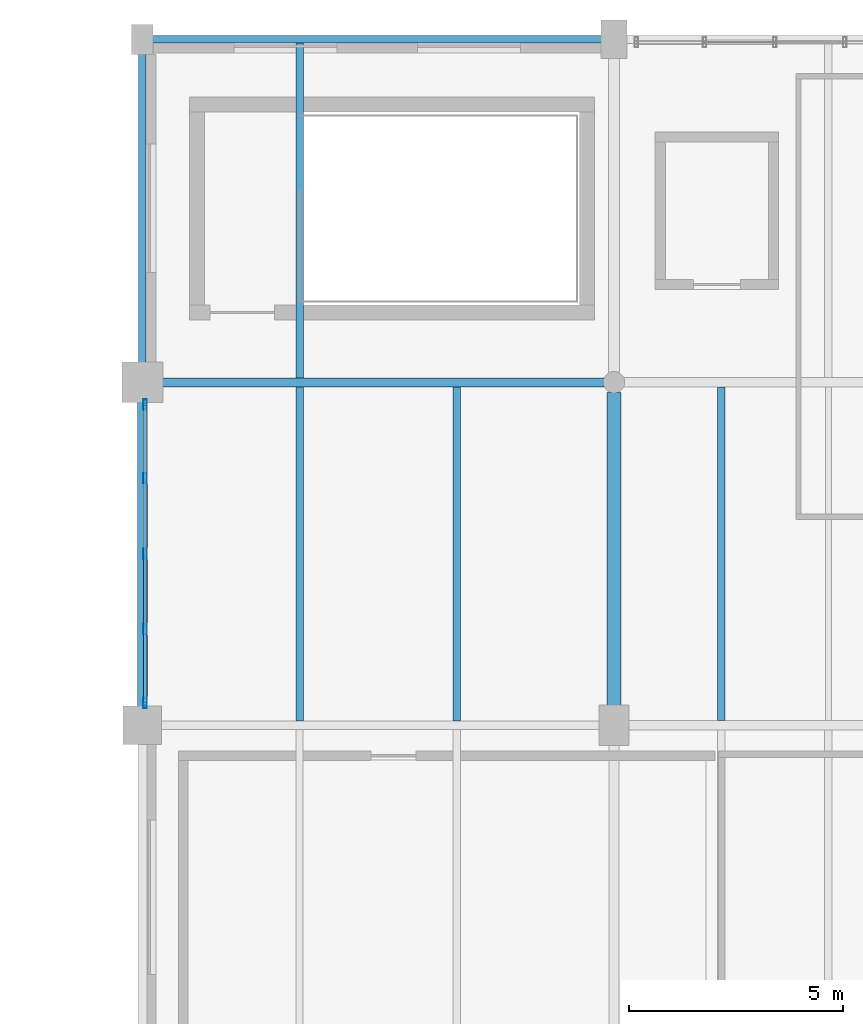
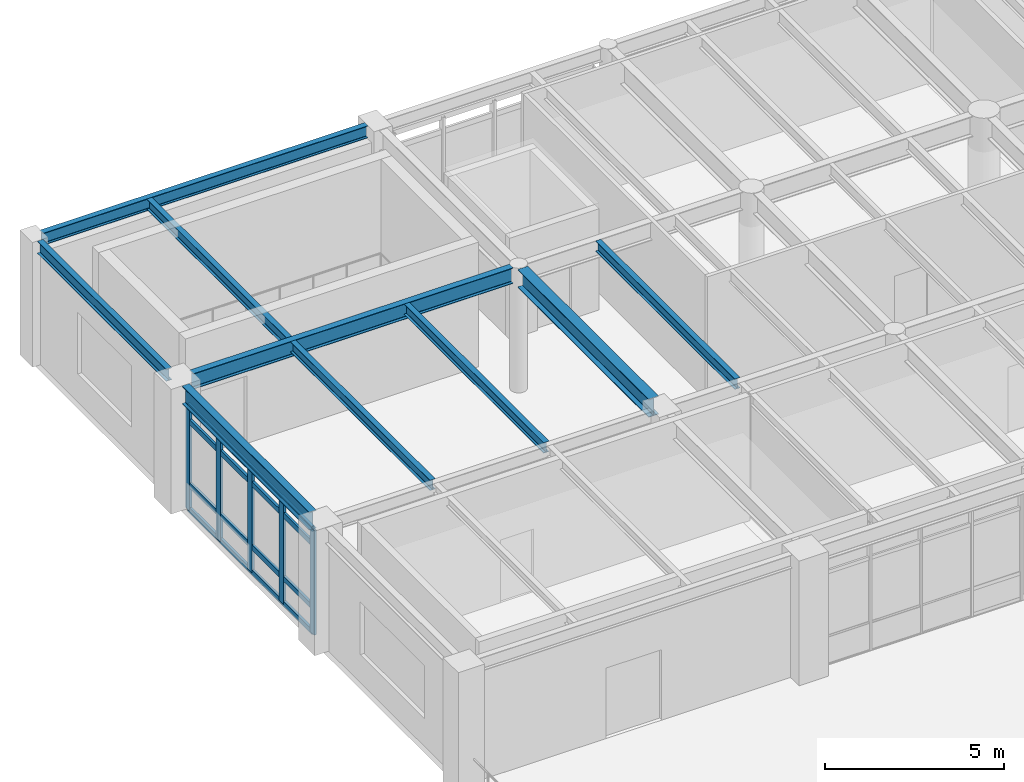
# One storey, part 78 of 168: 9 beams, 9 members, 1 element without a shape of its own.
"""IFC4 building model written with IfcOpenShell, lengths in metres."""

from ifc_helpers import new_model, si_unit, direction, frame, origin, origin_2d, place, context, subcontext, project, spatial, hollow_rectangle, i_section, extrude, material, material_profile, profile_set, type_object, element, aggregate, save


model = new_model("IFC4")

# Units and contexts
model_context = context("Model", 3, precision=1e-05, world=origin(), true_north=direction((0.0, 1.0)))
body_context = subcontext(model_context, "Body", "Model", "MODEL_VIEW")
ifc_project = project(units=[si_unit("LENGTHUNIT", "METRE"), si_unit("AREAUNIT", "SQUARE_METRE"), si_unit("VOLUMEUNIT", "CUBIC_METRE"), si_unit("PLANEANGLEUNIT", "RADIAN"), si_unit("MASSUNIT", "GRAM", prefix="KILO"), si_unit("THERMODYNAMICTEMPERATUREUNIT", "KELVIN"), si_unit("POWERUNIT", "WATT")], contexts=[model_context])

# Site, building, storey
site_placement = place(None, origin())
site = spatial("IfcSite", under=ifc_project, at=site_placement, CompositionType="ELEMENT")
building_placement = place(site_placement, origin())
building = spatial("IfcBuilding", under=site, at=building_placement, Name="Tepalcoro Natatorium and Aquatics Centre", CompositionType="ELEMENT")
storey_placement = place(building_placement, frame((0.0, 0.0, 10.199951171875)))
storey = spatial("IfcBuildingStorey", under=building, at=storey_placement, Name="L02", CompositionType="ELEMENT", Elevation=10.199951171875)

# Beams
ifc_material_1 = material(Name="Steel ASTM A992 Grade 50 (Fy 345 MPa)", Category="steel")
ifc_material_profile_1 = material_profile(ifc_material_1, i_section(OverallWidth=0.2099609375, OverallDepth=0.532958984375, WebThickness=0.010009765625, FlangeThickness=0.01611328125, FilletRadius=0.013916015625, at=origin_2d()), Name="W21X62")
ifc_profile_set_1 = profile_set([ifc_material_profile_1], Name="Steel ASTM A992 Grade 50 (Fy 345 MPa)")
beam_type_1 = type_object("IfcBeamType", Name="BM_W21x62", PredefinedType="BEAM", material=ifc_profile_set_1)
beam_1_placement = place(storey_placement, frame((10.4599609375, 110.0, 3.968505859375), z_axis=(1.0, 0.0, 0.0), x_axis=(0.0, 1.0, 0.0)))
element("IfcBeam", 1, at=beam_1_placement, inside=storey, type_object=beam_type_1, Name="V4 L02 Grid Girder X", PredefinedType="BEAM", context=body_context, shape_type="SweptSolid", body=[
    extrude(i_section(OverallWidth=0.2099609375, OverallDepth=0.532958984375, WebThickness=0.010009765625, FlangeThickness=0.01611328125, FilletRadius=0.013916015625, at=origin_2d()), origin(), (0.0, 0.0, 1.0), 10.304931640625),
])
ifc_material_profile_2 = material_profile(ifc_material_1, i_section(OverallWidth=0.324951171875, OverallDepth=0.616943359375, WebThickness=0.013916015625, FlangeThickness=0.02197265625, FilletRadius=0.013916015625, at=origin_2d()), Name="W24X117")
ifc_profile_set_2 = profile_set([ifc_material_profile_2], Name="Steel ASTM A992 Grade 50 (Fy 345 MPa)")
beam_type_2 = type_object("IfcBeamType", Name="BM_W24x117", PredefinedType="BEAM", material=ifc_profile_set_2)
beam_2_placement = place(storey_placement, frame((21.0, 102.4599609375, 3.926513671875), z_axis=(0.0, 1.0, 0.0), x_axis=(-1.0, 0.0, 0.0)))
element("IfcBeam", 2, at=beam_2_placement, inside=storey, type_object=beam_type_2, Name="V4 L02 Grid Girder Y", PredefinedType="BEAM", context=body_context, shape_type="SweptSolid", body=[
    extrude(i_section(OverallWidth=0.324951171875, OverallDepth=0.616943359375, WebThickness=0.013916015625, FlangeThickness=0.02197265625, FilletRadius=0.013916015625, at=origin_2d()), origin(), (0.0, 0.0, 1.0), 7.304931640625),
])

# Curtain wall, members
ifc_material_2 = material(Name="Bronze-Anodised Extruded Aluminium Alloy EN AW-6063 T6", Category="aluminium")
curtain_wall_type = type_object("IfcCurtainWallType", Name="CW_LEAN_T1_NS", PredefinedType="USERDEFINED", material=ifc_material_2)
curtain_wall_placement = place(storey_placement, origin())
curtain_wall = element("IfcCurtainWall", 3, at=curtain_wall_placement, inside=storey, type_object=curtain_wall_type, Name="V4 L02 W Unitised Curtain Wall Bay 2", ObjectType="FACETED SOLAR GLAZING", PredefinedType="USERDEFINED")
ifc_material_profile_3 = material_profile(ifc_material_2, hollow_rectangle(XDim=0.080078125, YDim=0.239990234375, WallThickness=0.0048828125, at=origin_2d()), Name="AL80X240X5")
ifc_profile_set_3 = profile_set([ifc_material_profile_3], Name="Bronze-Anodised Extruded Aluminium Alloy EN AW-6063 T6")
member_type_1 = type_object("IfcMemberType", Name="CW_MUL_80x240", PredefinedType="MULLION", material=ifc_profile_set_3)
member_1_placement = place(storey_placement, frame((10.06494140625, 102.52001953125, 0.02001953125), z_axis=(0.0, 0.0, 1.0), x_axis=(1.0, 0.0, 0.0)))
member_1 = element("IfcMember", 4, at=member_1_placement, type_object=member_type_1, Name="CW_LEAN_T1_NS Curtain Wall Mullion", PredefinedType="MULLION", context=body_context, shape_type="SweptSolid", body=[
    extrude(hollow_rectangle(XDim=0.080078125, YDim=0.239990234375, WallThickness=0.0048828125, at=origin_2d()), origin(), (0.0, 0.0, 1.0), 3.568115234375),
])
member_2_placement = place(storey_placement, frame((10.06494140625, 104.239990234375, 0.02001953125), z_axis=(0.0, 0.0, 1.0), x_axis=(1.0, 0.0, 0.0)))
member_2 = element("IfcMember", 5, at=member_2_placement, type_object=member_type_1, Name="CW_LEAN_T1_NS Curtain Wall Mullion", PredefinedType="MULLION", context=body_context, shape_type="SweptSolid", body=[
    extrude(hollow_rectangle(XDim=0.080078125, YDim=0.239990234375, WallThickness=0.0048828125, at=origin_2d()), origin(), (0.0, 0.0, 1.0), 3.568115234375),
])
member_3_placement = place(storey_placement, frame((10.06494140625, 106.0, 0.02001953125), z_axis=(0.0, 0.0, 1.0), x_axis=(1.0, 0.0, 0.0)))
member_3 = element("IfcMember", 6, at=member_3_placement, type_object=member_type_1, Name="CW_LEAN_T1_NS Curtain Wall Mullion", PredefinedType="MULLION", context=body_context, shape_type="SweptSolid", body=[
    extrude(hollow_rectangle(XDim=0.080078125, YDim=0.239990234375, WallThickness=0.0048828125, at=origin_2d()), origin(), (0.0, 0.0, 1.0), 3.568115234375),
])
member_4_placement = place(storey_placement, frame((10.06494140625, 107.760009765625, 0.02001953125), z_axis=(0.0, 0.0, 1.0), x_axis=(1.0, 0.0, 0.0)))
member_4 = element("IfcMember", 7, at=member_4_placement, type_object=member_type_1, Name="CW_LEAN_T1_NS Curtain Wall Mullion", PredefinedType="MULLION", context=body_context, shape_type="SweptSolid", body=[
    extrude(hollow_rectangle(XDim=0.080078125, YDim=0.239990234375, WallThickness=0.0048828125, at=origin_2d()), origin(), (0.0, 0.0, 1.0), 3.568115234375),
])
member_5_placement = place(storey_placement, frame((10.06494140625, 109.47998046875, 0.02001953125), z_axis=(0.0, 0.0, 1.0), x_axis=(1.0, 0.0, 0.0)))
member_5 = element("IfcMember", 8, at=member_5_placement, type_object=member_type_1, Name="CW_LEAN_T1_NS Curtain Wall Mullion", PredefinedType="MULLION", context=body_context, shape_type="SweptSolid", body=[
    extrude(hollow_rectangle(XDim=0.080078125, YDim=0.239990234375, WallThickness=0.0048828125, at=origin_2d()), origin(), (0.0, 0.0, 1.0), 3.568115234375),
])
ifc_material_profile_4 = material_profile(ifc_material_2, hollow_rectangle(XDim=0.080078125, YDim=0.179931640625, WallThickness=0.0048828125, at=origin_2d()), Name="AL80X180X5")
ifc_profile_set_4 = profile_set([ifc_material_profile_4], Name="Bronze-Anodised Extruded Aluminium Alloy EN AW-6063 T6")
member_type_2 = type_object("IfcMemberType", Name="CW_TRN_80x180", PredefinedType="USERDEFINED", material=ifc_profile_set_4)
member_6_placement = place(storey_placement, frame((10.06494140625, 102.530029296875, 0.050048828125), z_axis=(0.0, 1.0, 0.0), x_axis=(-1.0, 0.0, 0.0)))
member_6 = element("IfcMember", 9, at=member_6_placement, type_object=member_type_2, Name="CW_LEAN_T1_NS Curtain Wall Transom", ObjectType="TRANSOM", PredefinedType="USERDEFINED", context=body_context, shape_type="SweptSolid", body=[
    extrude(hollow_rectangle(XDim=0.080078125, YDim=0.179931640625, WallThickness=0.0048828125, at=origin_2d()), origin(), (0.0, 0.0, 1.0), 6.93994140625),
])
member_7_placement = place(storey_placement, frame((10.06494140625, 102.530029296875, 0.902099609375), z_axis=(0.0, 1.0, 0.0), x_axis=(-1.0, 0.0, 0.0)))
member_7 = element("IfcMember", 10, at=member_7_placement, type_object=member_type_2, Name="CW_LEAN_T1_NS Curtain Wall Transom", ObjectType="TRANSOM", PredefinedType="USERDEFINED", context=body_context, shape_type="SweptSolid", body=[
    extrude(hollow_rectangle(XDim=0.080078125, YDim=0.179931640625, WallThickness=0.0048828125, at=origin_2d()), origin(), (0.0, 0.0, 1.0), 6.93994140625),
])
member_8_placement = place(storey_placement, frame((10.06494140625, 102.530029296875, 3.05810546875), z_axis=(0.0, 1.0, 0.0), x_axis=(-1.0, 0.0, 0.0)))
member_8 = element("IfcMember", 11, at=member_8_placement, type_object=member_type_2, Name="CW_LEAN_T1_NS Curtain Wall Transom", ObjectType="TRANSOM", PredefinedType="USERDEFINED", context=body_context, shape_type="SweptSolid", body=[
    extrude(hollow_rectangle(XDim=0.080078125, YDim=0.179931640625, WallThickness=0.0048828125, at=origin_2d()), origin(), (0.0, 0.0, 1.0), 6.93994140625),
])
member_9_placement = place(storey_placement, frame((10.06494140625, 102.530029296875, 3.55810546875), z_axis=(0.0, 1.0, 0.0), x_axis=(-1.0, 0.0, 0.0)))
member_9 = element("IfcMember", 12, at=member_9_placement, type_object=member_type_2, Name="CW_LEAN_T1_NS Curtain Wall Transom", ObjectType="TRANSOM", PredefinedType="USERDEFINED", context=body_context, shape_type="SweptSolid", body=[
    extrude(hollow_rectangle(XDim=0.080078125, YDim=0.179931640625, WallThickness=0.0048828125, at=origin_2d()), origin(), (0.0, 0.0, 1.0), 6.93994140625),
])
aggregate(curtain_wall, [member_1, member_2, member_3, member_4, member_5, member_6, member_7, member_8, member_9])

# Beams
ifc_material_profile_5 = material_profile(ifc_material_1, i_section(OverallWidth=0.1708984375, OverallDepth=0.35107421875, WebThickness=0.007080078125, FlangeThickness=0.010009765625, FilletRadius=0.013916015625, at=origin_2d()), Name="W14X30")
ifc_profile_set_5 = profile_set([ifc_material_profile_5], Name="Steel ASTM A992 Grade 50 (Fy 345 MPa)")
beam_type_3 = type_object("IfcBeamType", Name="JS_W14x30", PredefinedType="JOIST", material=ifc_profile_set_5)
beam_3_placement = place(storey_placement, frame((13.666748046875, 102.096435546875, 4.0595703125), z_axis=(0.0, 1.0, 0.0), x_axis=(-1.0, 0.0, 0.0)))
element("IfcBeam", 13, at=beam_3_placement, inside=storey, type_object=beam_type_3, Name="V4 L02 Floor Joist", PredefinedType="JOIST", context=body_context, shape_type="SweptSolid", body=[
    extrude(i_section(OverallWidth=0.1708984375, OverallDepth=0.35107421875, WebThickness=0.007080078125, FlangeThickness=0.010009765625, FilletRadius=0.013916015625, at=origin_2d()), origin(), (0.0, 0.0, 1.0), 7.798583984375),
])
ifc_material_profile_6 = material_profile(ifc_material_1, i_section(OverallWidth=0.172119140625, OverallDepth=0.35791015625, WebThickness=0.008056640625, FlangeThickness=0.012939453125, FilletRadius=0.013916015625, at=origin_2d()), Name="W14X38")
ifc_profile_set_6 = profile_set([ifc_material_profile_6], Name="Steel ASTM A992 Grade 50 (Fy 345 MPa)")
beam_type_4 = type_object("IfcBeamType", Name="JS_W14x38", PredefinedType="JOIST", material=ifc_profile_set_6)
beam_4_placement = place(storey_placement, frame((17.333251953125, 102.096435546875, 4.05615234375), z_axis=(0.0, 1.0, 0.0), x_axis=(-1.0, 0.0, 0.0)))
element("IfcBeam", 14, at=beam_4_placement, inside=storey, type_object=beam_type_4, Name="V4 L02 Floor Joist", PredefinedType="JOIST", context=body_context, shape_type="SweptSolid", body=[
    extrude(i_section(OverallWidth=0.172119140625, OverallDepth=0.35791015625, WebThickness=0.008056640625, FlangeThickness=0.012939453125, FilletRadius=0.013916015625, at=origin_2d()), origin(), (0.0, 0.0, 1.0), 7.798583984375),
])
beam_5_placement = place(storey_placement, frame((13.666748046875, 110.10498046875, 4.05615234375), z_axis=(0.0, 1.0, 0.0), x_axis=(-1.0, 0.0, 0.0)))
element("IfcBeam", 15, at=beam_5_placement, inside=storey, type_object=beam_type_4, Name="V4 L02 Floor Joist", PredefinedType="JOIST", context=body_context, shape_type="SweptSolid", body=[
    extrude(i_section(OverallWidth=0.172119140625, OverallDepth=0.35791015625, WebThickness=0.008056640625, FlangeThickness=0.012939453125, FilletRadius=0.013916015625, at=origin_2d()), origin(), (0.0, 0.0, 1.0), 7.804931640625),
])
beam_6_placement = place(storey_placement, frame((23.5, 102.114013671875, 4.05615234375), z_axis=(0.0, 1.0, 0.0), x_axis=(-1.0, 0.0, 0.0)))
element("IfcBeam", 16, at=beam_6_placement, inside=storey, type_object=beam_type_4, Name="V4 L02 Floor Joist", PredefinedType="JOIST", context=body_context, shape_type="SweptSolid", body=[
    extrude(i_section(OverallWidth=0.172119140625, OverallDepth=0.35791015625, WebThickness=0.008056640625, FlangeThickness=0.012939453125, FilletRadius=0.013916015625, at=origin_2d()), origin(), (0.0, 0.0, 1.0), 7.77099609375),
])
ifc_material_profile_7 = material_profile(ifc_material_1, i_section(OverallWidth=0.179931640625, OverallDepth=0.4130859375, WebThickness=0.010009765625, FlangeThickness=0.01611328125, FilletRadius=0.013916015625, at=origin_2d()), Name="W16X50")
ifc_profile_set_7 = profile_set([ifc_material_profile_7], Name="Steel ASTM A992 Grade 50 (Fy 345 MPa)")
beam_type_5 = type_object("IfcBeamType", Name="SP_HSS300x200x12", PredefinedType="SPANDREL", material=ifc_profile_set_7)
beam_7_placement = place(storey_placement, frame((10.235107421875, 118.0, 4.028564453125), z_axis=(1.0, 0.0, 0.0), x_axis=(0.0, 1.0, 0.0)))
element("IfcBeam", 17, at=beam_7_placement, inside=storey, type_object=beam_type_5, Name="V4 L02 Grid Girder X", PredefinedType="SPANDREL", context=body_context, shape_type="SweptSolid", body=[
    extrude(i_section(OverallWidth=0.179931640625, OverallDepth=0.4130859375, WebThickness=0.010009765625, FlangeThickness=0.01611328125, FilletRadius=0.013916015625, at=origin_2d()), origin(), (0.0, 0.0, 1.0), 10.47998046875),
])
beam_8_placement = place(storey_placement, frame((10.0, 110.4599609375, 4.028564453125), z_axis=(0.0, 1.0, 0.0), x_axis=(-1.0, 0.0, 0.0)))
element("IfcBeam", 18, at=beam_8_placement, inside=storey, type_object=beam_type_5, Name="V4 L02 Grid Girder Y", PredefinedType="SPANDREL", context=body_context, shape_type="SweptSolid", body=[
    extrude(i_section(OverallWidth=0.179931640625, OverallDepth=0.4130859375, WebThickness=0.010009765625, FlangeThickness=0.01611328125, FilletRadius=0.013916015625, at=origin_2d()), origin(), (0.0, 0.0, 1.0), 7.205078125),
])
ifc_material_profile_8 = material_profile(ifc_material_1, i_section(OverallWidth=0.22900390625, OverallDepth=0.612060546875, WebThickness=0.011962890625, FlangeThickness=0.02001953125, FilletRadius=0.013916015625, at=origin_2d()), Name="W24X84")
ifc_profile_set_8 = profile_set([ifc_material_profile_8], Name="Steel ASTM A992 Grade 50 (Fy 345 MPa)")
beam_type_6 = type_object("IfcBeamType", Name="SP_W24x84", PredefinedType="SPANDREL", material=ifc_profile_set_8)
beam_9_placement = place(storey_placement, frame((10.0, 102.43505859375, 3.928955078125), z_axis=(0.0, 1.0, 0.0), x_axis=(-1.0, 0.0, 0.0)))
element("IfcBeam", 19, at=beam_9_placement, inside=storey, type_object=beam_type_6, Name="V4 L02 Grid Girder Y", PredefinedType="SPANDREL", context=body_context, shape_type="SweptSolid", body=[
    extrude(i_section(OverallWidth=0.22900390625, OverallDepth=0.612060546875, WebThickness=0.011962890625, FlangeThickness=0.02001953125, FilletRadius=0.013916015625, at=origin_2d()), origin(), (0.0, 0.0, 1.0), 7.10498046875),
])

save(model, "model.ifc")
